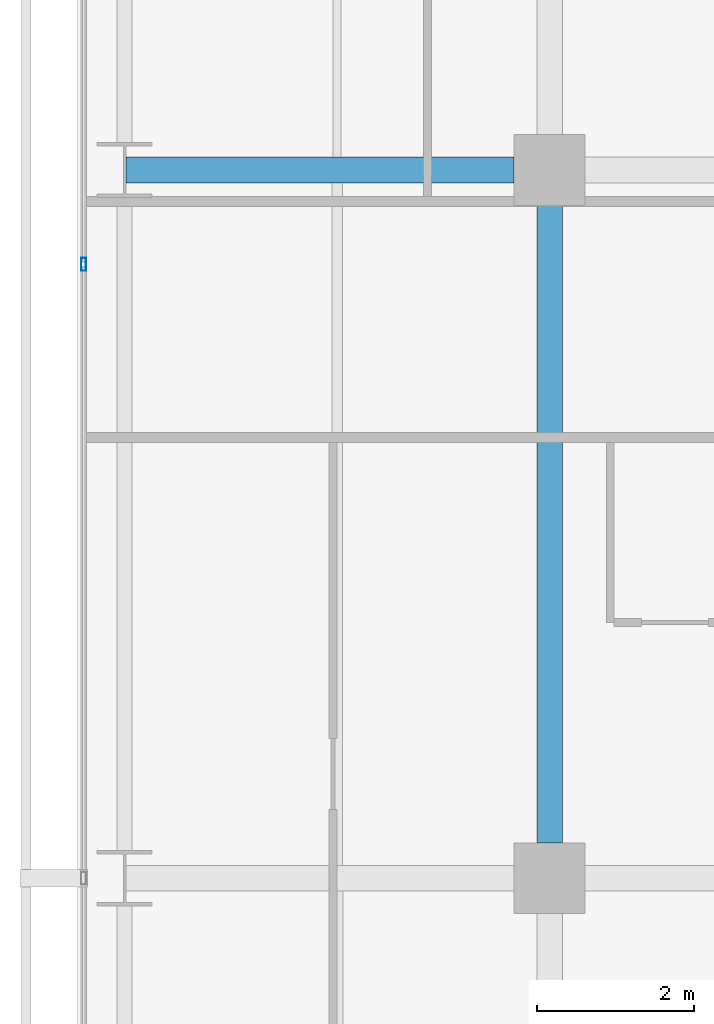
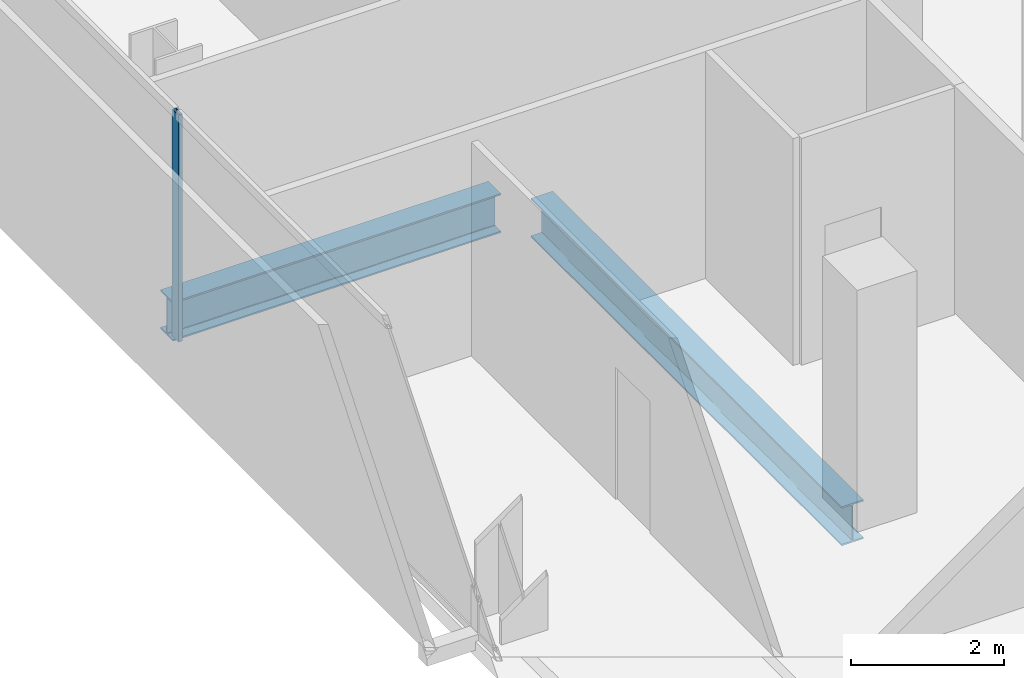
# One storey, part 21 of 39: 2 beams, 1 member, 1 element without a shape of its own.
"""IFC4 building model written with IfcOpenShell, lengths in metres."""

from ifc_helpers import new_model, si_unit, direction, frame, origin, origin_2d, place, context, subcontext, project, spatial, hollow_rectangle, i_section, extrude, material, layer, layer_set, material_profile, profile_set, type_object, element, aggregate, save


model = new_model("IFC4")

# Units and contexts
model_context = context("Model", 3, precision=1e-05, world=origin(), true_north=direction((0.0, 1.0)))
body_context = subcontext(model_context, "Body", "Model", "MODEL_VIEW")
ifc_project = project(units=[si_unit("LENGTHUNIT", "METRE"), si_unit("AREAUNIT", "SQUARE_METRE"), si_unit("VOLUMEUNIT", "CUBIC_METRE"), si_unit("PLANEANGLEUNIT", "RADIAN"), si_unit("MASSUNIT", "GRAM", prefix="KILO")], contexts=[model_context])

# Site, building, storey
site_placement = place(None, origin())
site = spatial("IfcSite", under=ifc_project, at=site_placement, CompositionType="ELEMENT")
building_placement = place(site_placement, origin())
building = spatial("IfcBuilding", under=site, at=building_placement, Name="Maruvema Waterfront Hotel and Observation Tower", CompositionType="ELEMENT")
storey_placement = place(building_placement, frame((0.0, 0.0, 65.449951171875)))
storey = spatial("IfcBuildingStorey", under=building, at=storey_placement, Name="L15", CompositionType="ELEMENT", Elevation=65.449951171875)

# Curtain wall, member
ifc_material_1 = material(Name="Anodised bronze aluminium and solar-control low-E IGU", Category="aluminium")
ifc_layer = layer(ifc_material_1, 0.159912109375, Name="Zone 1 Bronze Inner Thermal Curtain Wall System CW-02")
ifc_layer_set = layer_set([ifc_layer], Name="Anodised bronze aluminium and solar-control low-E IGU")
curtain_wall_type = type_object("IfcCurtainWallType", Name="Zone 1 Bronze Inner Thermal Curtain Wall System CW-02", PredefinedType="USERDEFINED", material=ifc_layer_set)
curtain_wall_placement = place(storey_placement, origin())
curtain_wall = element("IfcCurtainWall", 1, at=curtain_wall_placement, inside=storey, type_object=curtain_wall_type, Name="L15 Curtain Wall CW-L15-W", ObjectType="UNITISED CURTAIN WALL", PredefinedType="USERDEFINED")
ifc_material_2 = material(Name="Anodised architectural bronze aluminium", Category="aluminium")
ifc_material_profile_1 = material_profile(ifc_material_2, hollow_rectangle(XDim=0.06494140625, YDim=0.1650390625, WallThickness=0.00390625, at=origin_2d()), Name="ALU-M65x165")
ifc_profile_set_1 = profile_set([ifc_material_profile_1], Name="Anodised architectural bronze aluminium")
member_type = type_object("IfcMemberType", Name="Curtain Wall Primary Mullion ALU-M65x165", PredefinedType="MULLION", material=ifc_profile_set_1)
member_placement = place(storey_placement, frame((10.8798828125, 34.800048828125, 0.0), z_axis=(0.0, 0.0, 1.0), x_axis=(1.0, 0.0, 0.0)))
member = element("IfcMember", 2, at=member_placement, type_object=member_type, Name="CW-02 mullion 3", PredefinedType="MULLION", context=body_context, shape_type="SweptSolid", body=[
    extrude(hollow_rectangle(XDim=0.06494140625, YDim=0.1650390625, WallThickness=0.00390625, at=origin_2d()), origin(), (0.0, 0.0, 1.0), 3.610107421875),
])
aggregate(curtain_wall, [member])

# Beams
ifc_material_3 = material(Name="Steel ASTM A572 Grade 50", Category="steel")
ifc_material_profile_2 = material_profile(ifc_material_3, i_section(OverallWidth=0.326904296875, OverallDepth=0.6220703125, WebThickness=0.015380859375, FlangeThickness=0.0244140625, FilletRadius=0.01806640625, at=origin_2d()), Name="W610x195.0")
ifc_profile_set_2 = profile_set([ifc_material_profile_2], Name="Steel ASTM A572 Grade 50")
beam_type = type_object("IfcBeamType", Name="Primary Floor Girder W610x195.0", PredefinedType="BEAM", material=ifc_profile_set_2)
beam_1_placement = place(storey_placement, frame((11.4140625, 36.0, -0.551025390625), z_axis=(1.0, 0.0, 0.0), x_axis=(0.0, 1.0, 0.0)))
element("IfcBeam", 3, at=beam_1_placement, inside=storey, type_object=beam_type, Name="L15 Floor Girder EW-25", PredefinedType="BEAM", context=body_context, shape_type="SweptSolid", body=[
    extrude(i_section(OverallWidth=0.326904296875, OverallDepth=0.6220703125, WebThickness=0.015380859375, FlangeThickness=0.0244140625, FilletRadius=0.01806640625, at=origin_2d()), origin(), (0.0, 0.0, 1.0), 4.93603515625),
])
beam_2_placement = place(storey_placement, frame((16.800048828125, 27.449951171875, -0.551025390625), z_axis=(0.0, 1.0, 0.0), x_axis=(-1.0, 0.0, 0.0)))
element("IfcBeam", 4, at=beam_2_placement, inside=storey, type_object=beam_type, Name="L15 Floor Girder NS-08", PredefinedType="BEAM", context=body_context, shape_type="SweptSolid", body=[
    extrude(i_section(OverallWidth=0.326904296875, OverallDepth=0.6220703125, WebThickness=0.015380859375, FlangeThickness=0.0244140625, FilletRadius=0.01806640625, at=origin_2d()), origin(), (0.0, 0.0, 1.0), 8.10009765625),
])

save(model, "model.ifc")
